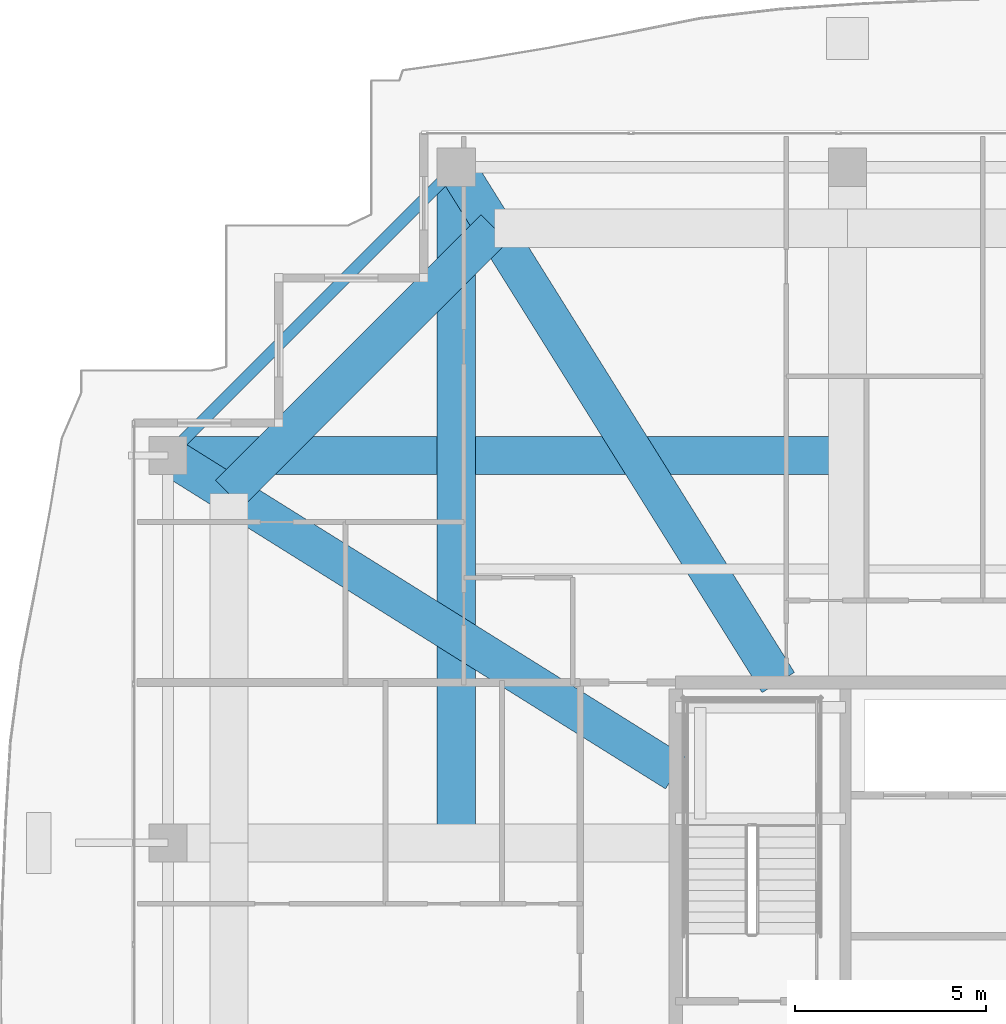
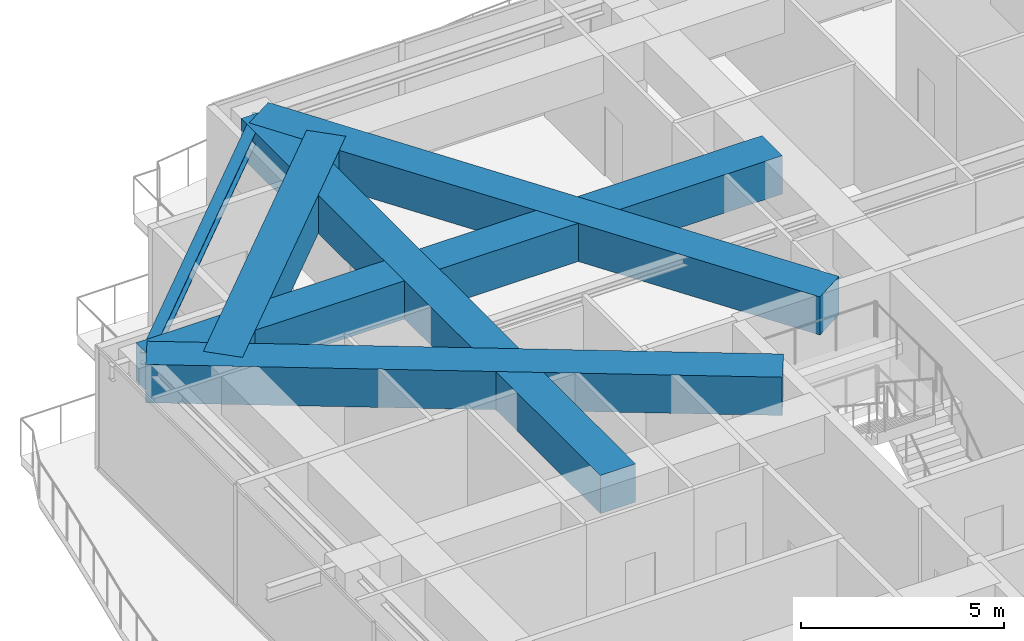
# One storey, part 21 of 40: 6 beams.
"""IFC4 building model written with IfcOpenShell, lengths in metres."""

from ifc_helpers import new_model, si_unit, direction, frame, origin, origin_2d, place, context, subcontext, project, spatial, rectangle, i_section, extrude, source, transform, mapped, material, material_profile, profile_set, type_object, element, save


model = new_model("IFC4")

# Units and contexts
model_context = context("Model", 3, precision=1e-05, world=origin(), true_north=direction((0.0, 1.0)))
body_context = subcontext(model_context, "Body", "Model", "MODEL_VIEW")
ifc_project = project(units=[si_unit("LENGTHUNIT", "METRE"), si_unit("AREAUNIT", "SQUARE_METRE"), si_unit("VOLUMEUNIT", "CUBIC_METRE"), si_unit("PLANEANGLEUNIT", "RADIAN"), si_unit("MASSUNIT", "GRAM", prefix="KILO")], contexts=[model_context])

# Site, building, storey
site_placement = place(None, origin())
site = spatial("IfcSite", under=ifc_project, at=site_placement, CompositionType="ELEMENT")
building_placement = place(site_placement, origin())
building = spatial("IfcBuilding", under=site, at=building_placement, Name="Serunith Strait Residences", CompositionType="ELEMENT")
storey_placement = place(building_placement, frame((0.0, 0.0, 333.949951171875)))
storey = spatial("IfcBuildingStorey", under=building, at=storey_placement, Name="L83", CompositionType="ELEMENT", Elevation=333.949951171875)

# Beams
ifc_material_1 = material(Name="Steel S355J2", Category="steel")
ifc_material_profile_1 = material_profile(ifc_material_1, i_section(OverallWidth=0.300048828125, OverallDepth=0.360107421875, WebThickness=0.012451171875, FlangeThickness=0.0224609375, FilletRadius=0.027099609375, at=origin_2d()), Name="HEB 360")
ifc_profile_set_1 = profile_set([ifc_material_profile_1], Name="Steel S355J2")
beam_type_1 = type_object("IfcBeamType", Name="BM-HEB360", PredefinedType="BEAM", material=ifc_profile_set_1)
shared_shape_1 = source(origin(), body_context, "Body", "SweptSolid", [
    extrude(i_section(OverallWidth=0.300048828125, OverallDepth=0.360107421875, WebThickness=0.012451171875, FlangeThickness=0.0224609375, FilletRadius=0.027099609375, at=origin_2d()), origin(), (0.0, 0.0, 1.0), 10.67724609375),
])
beam_1_placement = place(storey_placement, frame((17.64990234375, 47.10009765625, 3.427001953125), z_axis=(-0.707095348302, -0.707118213887, 0.0), x_axis=(0.707118213887, -0.707095348302, 0.0)))
element("IfcBeam", 1, at=beam_1_placement, inside=storey, type_object=beam_type_1, Name="L83 Perimeter Ring Beam 12", PredefinedType="BEAM", context=body_context, shape_type="MappedRepresentation", body=[
    mapped(shared_shape_1, transform((0.0, 0.0, 0.0), scale=1.0)),
])
ifc_material_2 = material(Name="Concrete C80/95", Category="concrete")
ifc_material_profile_2 = material_profile(ifc_material_2, rectangle(XDim=1.0, YDim=1.14990234375, at=origin_2d()), Name="RC 1000x1150")
ifc_profile_set_2 = profile_set([ifc_material_profile_2], Name="Concrete C80/95")
beam_type_2 = type_object("IfcBeamType", Name="BM-XFER-1000x1150", PredefinedType="BEAM", material=ifc_profile_set_2)
shared_shape_2 = source(origin(), body_context, "Body", "SweptSolid", [
    extrude(rectangle(XDim=1.0, YDim=1.14990234375, at=origin_2d()), origin(), (0.0, 0.0, 1.0), 17.7001953125),
])
beam_2_placement = place(storey_placement, frame((17.64990234375, 29.39990234375, 3.03515625), z_axis=(0.0, 1.0, 0.0), x_axis=(-1.0, 0.0, 0.0)))
element("IfcBeam", 2, at=beam_2_placement, inside=storey, type_object=beam_type_2, Name="L83 Orthogonal Corner Girder TC-N1", PredefinedType="BEAM", context=body_context, shape_type="MappedRepresentation", body=[
    mapped(shared_shape_2, transform((0.0, 0.0, 0.0), scale=1.0)),
])
shared_shape_3 = source(origin(), body_context, "Body", "SweptSolid", [
    extrude(rectangle(XDim=1.0, YDim=1.14990234375, at=origin_2d()), origin(), (0.0, 0.0, 1.0), 17.7998046875),
])
beam_3_placement = place(storey_placement, frame((27.89990234375, 39.550048828125, 3.03515625), z_axis=(-1.0, 0.0, 0.0), x_axis=(0.0, -1.0, 0.0)))
element("IfcBeam", 3, at=beam_3_placement, inside=storey, type_object=beam_type_2, Name="L83 Orthogonal Corner Girder TC-W4", PredefinedType="BEAM", context=body_context, shape_type="MappedRepresentation", body=[
    mapped(shared_shape_3, transform((0.0, 0.0, 0.0), scale=1.0)),
])
shared_shape_4 = source(origin(), body_context, "Body", "SweptSolid", [
    extrude(rectangle(XDim=1.0, YDim=1.14990234375, at=origin_2d()), origin(), (0.0, 0.0, 1.0), 15.919921875),
])
beam_4_placement = place(storey_placement, frame((17.64990234375, 47.10009765625, 3.03515625), z_axis=(0.529998940003, -0.847998304005, 0.0), x_axis=(0.847998304005, 0.529998940003, 0.0)))
element("IfcBeam", 4, at=beam_4_placement, inside=storey, type_object=beam_type_2, Name="L83 Diagonal Corner Transfer Girder TC-N1", PredefinedType="BEAM", context=body_context, shape_type="MappedRepresentation", body=[
    mapped(shared_shape_4, transform((0.0, 0.0, 0.0), scale=1.0)),
])
shared_shape_5 = source(origin(), body_context, "Body", "SweptSolid", [
    extrude(rectangle(XDim=1.0, YDim=1.14990234375, at=origin_2d()), origin(), (0.0, 0.0, 1.0), 15.683837890625),
])
beam_5_placement = place(storey_placement, frame((10.10009765625, 39.550048828125, 3.03515625), z_axis=(0.847994805921, -0.530004536897, 0.0), x_axis=(0.530004536897, 0.847994805921, 0.0)))
element("IfcBeam", 5, at=beam_5_placement, inside=storey, type_object=beam_type_2, Name="L83 Diagonal Corner Transfer Girder TC-W4", PredefinedType="BEAM", context=body_context, shape_type="MappedRepresentation", body=[
    mapped(shared_shape_5, transform((0.0, 0.0, 0.0), scale=1.0)),
])
shared_shape_6 = source(origin(), body_context, "Body", "SweptSolid", [
    extrude(rectangle(XDim=1.0, YDim=1.14990234375, at=origin_2d()), origin(), (0.0, 0.0, 1.0), 9.82861328125),
])
beam_6_placement = place(storey_placement, frame((18.64990234375, 45.5, 3.03515625), z_axis=(-0.707106781187, -0.707106781187, 0.0), x_axis=(0.707106781187, -0.707106781187, 0.0)))
element("IfcBeam", 6, at=beam_6_placement, inside=storey, type_object=beam_type_2, Name="L83 Flare Upper Ring Transfer Girder 12", PredefinedType="BEAM", context=body_context, shape_type="MappedRepresentation", body=[
    mapped(shared_shape_6, transform((0.0, 0.0, 0.0), scale=1.0)),
])

save(model, "model.ifc")
